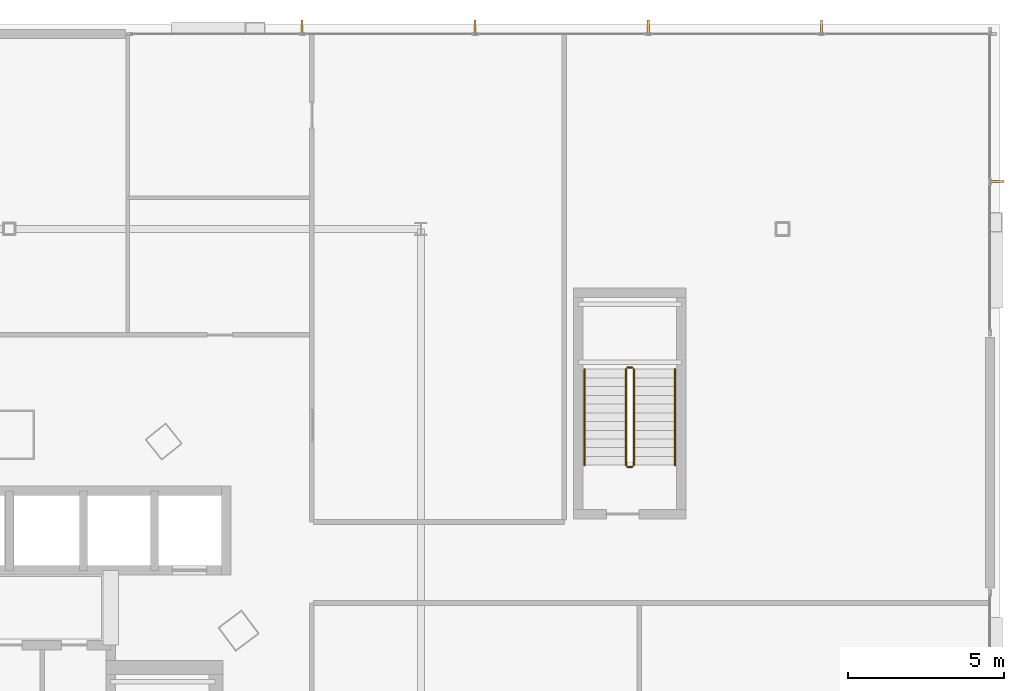
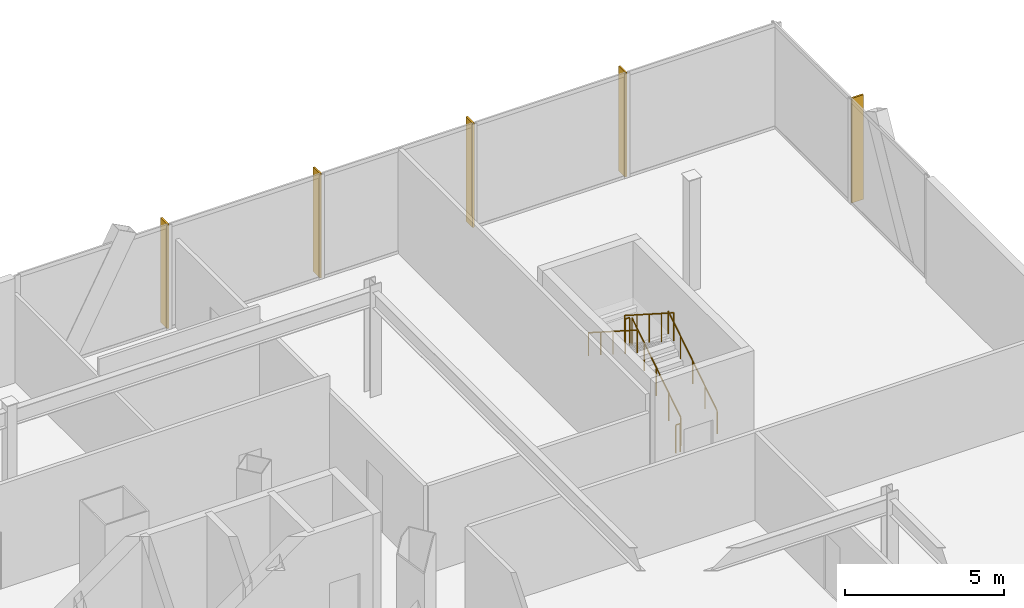
# One storey, part 42 of 42: 6 railings, 5 shading devices.
"""IFC4 building model written with IfcOpenShell, lengths in metres."""

from ifc_helpers import new_model, si_unit, direction, frame, origin, origin_2d, place, context, subcontext, project, spatial, rectangle, circle, extrude, material, layer, layer_set, type_object, element, save


model = new_model("IFC4")

# Units and contexts
model_context = context("Model", 3, precision=1e-05, world=origin(), true_north=direction((0.0, 1.0)))
body_context = subcontext(model_context, "Body", "Model", "MODEL_VIEW")
ifc_project = project(units=[si_unit("LENGTHUNIT", "METRE"), si_unit("AREAUNIT", "SQUARE_METRE"), si_unit("VOLUMEUNIT", "CUBIC_METRE"), si_unit("PLANEANGLEUNIT", "RADIAN"), si_unit("MASSUNIT", "GRAM", prefix="KILO")], contexts=[model_context])

# Site, building, storey
site_placement = place(None, origin())
site = spatial("IfcSite", under=ifc_project, at=site_placement, CompositionType="ELEMENT")
building_placement = place(site_placement, origin())
building = spatial("IfcBuilding", under=site, at=building_placement, Name="Orvanel Arch Residences", CompositionType="ELEMENT")
storey_placement = place(building_placement, frame((0.0, 0.0, 9.800048828125)))
storey = spatial("IfcBuildingStorey", under=building, at=storey_placement, Name="L02", CompositionType="ELEMENT", Elevation=9.800048828125)

# Shading devices
ifc_material_1 = material(Name="Bronze-anodised aluminium AA6063-T6", Category="aluminium")
ifc_layer = layer(ifc_material_1, 0.06494140625)
ifc_layer_set = layer_set([ifc_layer], Name="Bronze-anodised aluminium AA6063-T6")
shading_device_type = type_object("IfcShadingDeviceType", Name="FIN-BRZ-420", PredefinedType="USERDEFINED", material=ifc_layer_set)
for number, where, z_axis, x_axis, name in (
    (1, (59.0400390625, 54.489013671875, 0.0), (0.0, 0.0, 1.0), (0.0, 1.0, 0.0), "L02 Anodised Bronze Mullion FIN 01"),
    (2, (53.489990234375, 54.489013671875, 0.0), (0.0, 0.0, 1.0), (0.0, 1.0, 0.0), "L02 Anodised Bronze Mullion FIN 02"),
    (3, (47.93994140625, 54.489013671875, 0.0), (0.0, 0.0, 1.0), (0.0, 1.0, 0.0), "L02 Anodised Bronze Mullion FIN 03"),
    (4, (42.389892578125, 54.489013671875, 0.0), (0.0, 0.0, 1.0), (0.0, 1.0, 0.0), "L02 Anodised Bronze Mullion FIN 04"),
    (5, (64.68994140625, 49.514892578125, 0.0), (0.0, 0.0, 1.0), (1.0, 0.0, 0.0), "L02 Anodised Bronze Mullion FIN 01"),
):
    element("IfcShadingDevice", number, at=place(storey_placement, frame(where, z_axis=z_axis, x_axis=x_axis)), inside=storey, type_object=shading_device_type, Name=name, ObjectType="FIN", PredefinedType="USERDEFINED", context=body_context, shape_type="SweptSolid", body=[
        extrude(rectangle(XDim=0.419921875, YDim=0.06494140625, at=origin_2d()), origin(), (0.0, 0.0, 1.0), 4.02001953125),
    ])

# Railings
ifc_material_2 = material(Name="Structural steel AS/NZS 1163 C350L0 (Grade 350)", Category="steel")
railing_type_1 = type_object("IfcRailingType", Name="RL-STAIR-GUARD", PredefinedType="GUARDRAIL", material=ifc_material_2)
railing_1_placement = place(storey_placement, frame((53.030029296875, 40.419921875, 0.17919921875)))
element("IfcRailing", 6, at=railing_1_placement, inside=storey, type_object=railing_type_1, Name="L02 ST-4 stair guard 1", PredefinedType="GUARDRAIL", context=body_context, shape_type="SweptSolid", body=[
    extrude(circle(Radius=0.02392578125, at=origin_2d()), frame((0.0, 0.001220703125, 1.076904296875), z_axis=(0.0, 0.842339298311, 0.538947591627), x_axis=(-1.0, 0.0, 0.0)), (0.0, 0.0, 1.0), 3.653564453125),
    extrude(circle(Radius=0.02099609375, at=origin_2d()), origin(), (0.0, 0.0, 1.0), 1.050048828125),
    extrude(circle(Radius=0.02099609375, at=origin_2d()), frame((0.0, 0.77001953125, 0.49267578125)), (0.0, 0.0, 1.0), 1.050048828125),
    extrude(circle(Radius=0.02099609375, at=origin_2d()), frame((0.0, 1.5400390625, 0.9853515625)), (0.0, 0.0, 1.0), 1.050048828125),
    extrude(circle(Radius=0.02099609375, at=origin_2d()), frame((0.0, 2.31005859375, 1.47802734375)), (0.0, 0.0, 1.0), 1.050048828125),
    extrude(circle(Radius=0.02099609375, at=origin_2d()), frame((0.0, 3.080078125, 1.970703125)), (0.0, 0.0, 1.0), 1.050048828125),
])
railing_2_placement = place(storey_placement, frame((52.97998046875, 43.550048828125, 2.14990234375)))
element("IfcRailing", 7, at=railing_2_placement, inside=storey, type_object=railing_type_1, Name="L02 ST-4 stair guard 2", PredefinedType="GUARDRAIL", context=body_context, shape_type="SweptSolid", body=[
    extrude(circle(Radius=0.02392578125, at=origin_2d()), frame((-0.00146484375, 0.0, 1.076171875), z_axis=(-1.0, 0.0, 0.0), x_axis=(0.0, -1.0, 0.0)), (0.0, 0.0, 1.0), 0.156982421875),
    extrude(circle(Radius=0.02099609375, at=origin_2d()), origin(), (0.0, 0.0, 1.0), 1.050048828125),
    extrude(circle(Radius=0.02099609375, at=origin_2d()), frame((-0.159912109375, 0.0, 0.0)), (0.0, 0.0, 1.0), 1.050048828125),
])
railing_3_placement = place(storey_placement, frame((52.77001953125, 43.5, 2.3291015625)))
element("IfcRailing", 8, at=railing_3_placement, inside=storey, type_object=railing_type_1, Name="L02 ST-4 stair guard 3", PredefinedType="GUARDRAIL", context=body_context, shape_type="SweptSolid", body=[
    extrude(circle(Radius=0.02392578125, at=origin_2d()), frame((0.0, -0.001220703125, 1.076904296875), z_axis=(0.0, -0.842308987159, 0.53899496301), x_axis=(1.0, 0.0, 0.0)), (0.0, 0.0, 1.0), 3.65380859375),
    extrude(circle(Radius=0.02099609375, at=origin_2d()), origin(), (0.0, 0.0, 1.0), 1.050048828125),
    extrude(circle(Radius=0.02099609375, at=origin_2d()), frame((0.0, -0.77001953125, 0.49267578125)), (0.0, 0.0, 1.0), 1.050048828125),
    extrude(circle(Radius=0.02099609375, at=origin_2d()), frame((0.0, -1.5400390625, 0.9853515625)), (0.0, 0.0, 1.0), 1.050048828125),
    extrude(circle(Radius=0.02099609375, at=origin_2d()), frame((0.0, -2.31005859375, 1.478271484375)), (0.0, 0.0, 1.0), 1.050048828125),
    extrude(circle(Radius=0.02099609375, at=origin_2d()), frame((0.0, -3.080078125, 1.970947265625)), (0.0, 0.0, 1.0), 1.050048828125),
])
railing_4_placement = place(storey_placement, frame((52.97998046875, 40.3701171875, 0.0)))
element("IfcRailing", 9, at=railing_4_placement, inside=storey, type_object=railing_type_1, Name="L02 ST-4 stair guard 4", PredefinedType="GUARDRAIL", context=body_context, shape_type="SweptSolid", body=[
    extrude(circle(Radius=0.02392578125, at=origin_2d()), frame((-0.00146484375, 0.0, 1.076171875), z_axis=(-1.0, 0.0, 0.0), x_axis=(0.0, -1.0, 0.0)), (0.0, 0.0, 1.0), 0.156982421875),
    extrude(circle(Radius=0.02099609375, at=origin_2d()), origin(), (0.0, 0.0, 1.0), 1.050048828125),
    extrude(circle(Radius=0.02099609375, at=origin_2d()), frame((-0.159912109375, 0.0, 0.0)), (0.0, 0.0, 1.0), 1.050048828125),
])
railing_type_2 = type_object("IfcRailingType", Name="RL-STAIR-HAND", PredefinedType="HANDRAIL", material=ifc_material_2)
railing_5_placement = place(storey_placement, frame((54.35009765625, 40.419921875, 0.17919921875)))
element("IfcRailing", 10, at=railing_5_placement, inside=storey, type_object=railing_type_2, Name="L02 ST-4 stair handrail 1", PredefinedType="HANDRAIL", context=body_context, shape_type="SweptSolid", body=[
    extrude(circle(Radius=0.02392578125, at=origin_2d()), frame((0.0, 0.001220703125, 0.876708984375), z_axis=(0.0, 0.842339298311, 0.538947591627), x_axis=(-1.0, 0.0, 0.0)), (0.0, 0.0, 1.0), 3.653564453125),
    extrude(circle(Radius=0.02099609375, at=origin_2d()), origin(), (0.0, 0.0, 1.0), 0.849853515625),
    extrude(circle(Radius=0.02099609375, at=origin_2d()), frame((0.0, 0.77001953125, 0.49267578125)), (0.0, 0.0, 1.0), 0.849853515625),
    extrude(circle(Radius=0.02099609375, at=origin_2d()), frame((0.0, 1.5400390625, 0.9853515625)), (0.0, 0.0, 1.0), 0.849853515625),
    extrude(circle(Radius=0.02099609375, at=origin_2d()), frame((0.0, 2.31005859375, 1.47802734375)), (0.0, 0.0, 1.0), 0.849853515625),
    extrude(circle(Radius=0.02099609375, at=origin_2d()), frame((0.0, 3.080078125, 1.970703125)), (0.0, 0.0, 1.0), 0.849853515625),
])
railing_6_placement = place(storey_placement, frame((51.449951171875, 43.5, 2.3291015625)))
element("IfcRailing", 11, at=railing_6_placement, inside=storey, type_object=railing_type_2, Name="L02 ST-4 stair handrail 2", PredefinedType="HANDRAIL", context=body_context, shape_type="SweptSolid", body=[
    extrude(circle(Radius=0.02392578125, at=origin_2d()), frame((0.0, -0.001220703125, 0.876708984375), z_axis=(0.0, -0.842308987159, 0.53899496301), x_axis=(1.0, 0.0, 0.0)), (0.0, 0.0, 1.0), 3.65380859375),
    extrude(circle(Radius=0.02099609375, at=origin_2d()), origin(), (0.0, 0.0, 1.0), 0.849853515625),
    extrude(circle(Radius=0.02099609375, at=origin_2d()), frame((0.0, -0.77001953125, 0.49267578125)), (0.0, 0.0, 1.0), 0.849853515625),
    extrude(circle(Radius=0.02099609375, at=origin_2d()), frame((0.0, -1.5400390625, 0.9853515625)), (0.0, 0.0, 1.0), 0.849853515625),
    extrude(circle(Radius=0.02099609375, at=origin_2d()), frame((0.0, -2.31005859375, 1.478271484375)), (0.0, 0.0, 1.0), 0.849853515625),
    extrude(circle(Radius=0.02099609375, at=origin_2d()), frame((0.0, -3.080078125, 1.970947265625)), (0.0, 0.0, 1.0), 0.849853515625),
])

save(model, "model.ifc")
